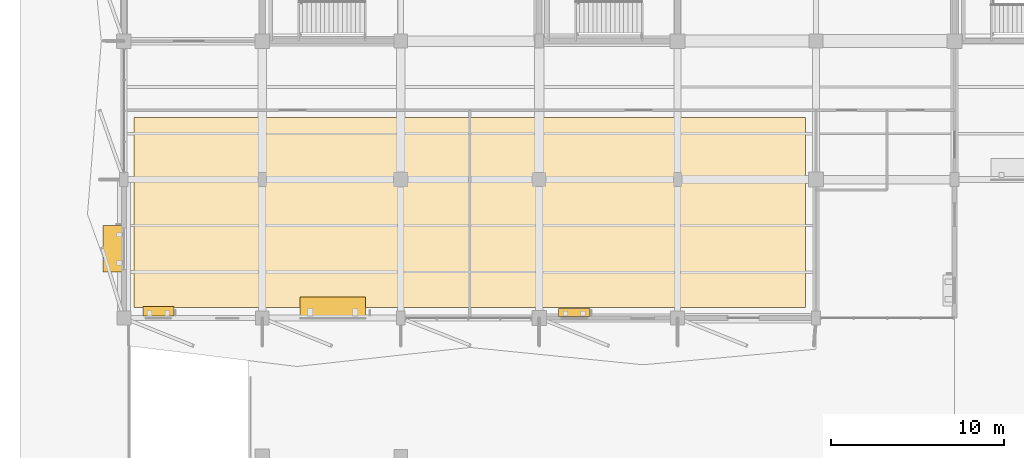
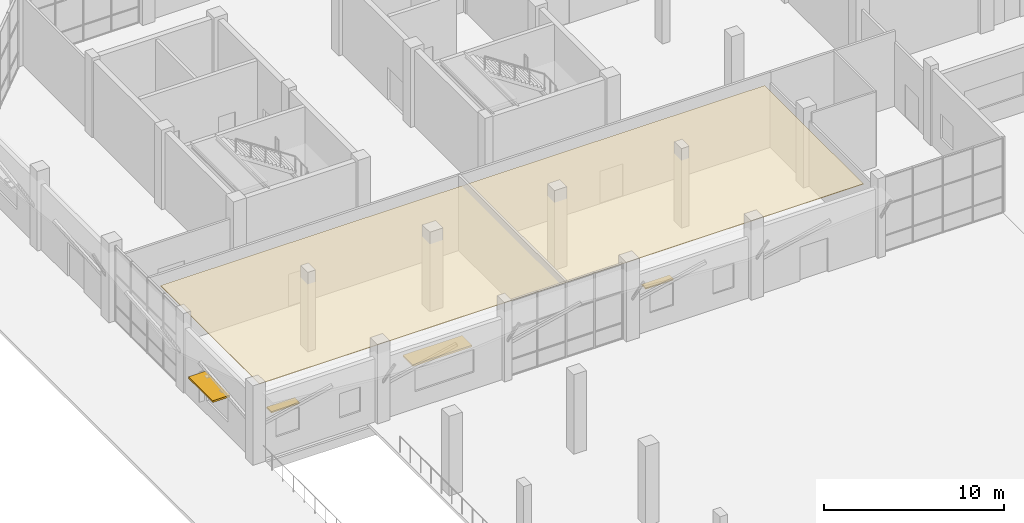
# One storey, part 116 of 123: 4 shading devices, 1 covering.
"""IFC4 building model written with IfcOpenShell, lengths in metres."""

from ifc_helpers import new_model, si_unit, direction, frame, origin, origin_2d, place, context, subcontext, project, spatial, polyline, rectangle, outline, extrude, material, layer, layer_set, type_object, element, save


model = new_model("IFC4")

# Units and contexts
model_context = context("Model", 3, precision=1e-05, world=origin(), true_north=direction((0.0, 1.0)))
body_context = subcontext(model_context, "Body", "Model", "MODEL_VIEW")
ifc_project = project(units=[si_unit("LENGTHUNIT", "METRE"), si_unit("AREAUNIT", "SQUARE_METRE"), si_unit("VOLUMEUNIT", "CUBIC_METRE"), si_unit("PLANEANGLEUNIT", "RADIAN"), si_unit("MASSUNIT", "GRAM", prefix="KILO")], contexts=[model_context])

# Site, building, storey
site_placement = place(None, origin())
site = spatial("IfcSite", under=ifc_project, at=site_placement, CompositionType="ELEMENT")
building_placement = place(site_placement, origin())
building = spatial("IfcBuilding", under=site, at=building_placement, Name="Tenunan Teduh Sports Hall", CompositionType="ELEMENT")
storey_placement = place(building_placement, origin())
storey = spatial("IfcBuildingStorey", under=building, at=storey_placement, Name="L00", CompositionType="ELEMENT", Elevation=0.0)

# Covering
ifc_material_1 = material(Name="Perforated mineral-fibre acoustic ceiling")
ifc_layer = layer(ifc_material_1, 0.0400390625)
ifc_layer_set = layer_set([ifc_layer], Name="Perforated mineral-fibre acoustic ceiling")
covering_type = type_object("IfcCoveringType", Name="COV-CLG-AC", PredefinedType="CEILING", material=ifc_layer_set)
covering_placement = place(storey_placement, frame((0.0, 0.0, 4.550048828125)))
element("IfcCovering", 1, at=covering_placement, inside=storey, type_object=covering_type, Name="COV-CLG-L00W", PredefinedType="CEILING", context=body_context, shape_type="SweptSolid", body=[
    extrude(outline(polyline([(6.60009765625, 78.60009765625), (45.39990234375, 78.60009765625), (45.39990234375, 89.60009765625), (6.60009765625, 89.60009765625), (6.60009765625, 78.60009765625)])), origin(), (0.0, 0.0, 1.0), 0.0400390625),
])

# Shading devices
ifc_material_2 = material(Name="Perforated anodised aluminium", Category="aluminium")
shading_device_type_1 = type_object("IfcShadingDeviceType", Name="SHD-LOUVRE-1", PredefinedType="AWNING", material=ifc_material_2)
shading_device_1_placement = place(storey_placement, frame((32.02490234375, 78.324951171875, 2.719970703125), z_axis=(0.0, 0.0, 1.0), x_axis=(1.0, 0.0, 0.0)))
element("IfcShadingDevice", 2, at=shading_device_1_placement, inside=storey, type_object=shading_device_type_1, Name="SHD-L00-012", PredefinedType="AWNING", context=body_context, shape_type="SweptSolid", body=[
    extrude(rectangle(XDim=1.800048828125, YDim=0.449951171875, at=origin_2d()), origin(), (0.0, 0.0, 1.0), 0.080078125),
])
ifc_material_3 = material(Name="Perforated anodised aluminium", Category="aluminium")
shading_device_type_2 = type_object("IfcShadingDeviceType", Name="SHD-LOUVRE-2", PredefinedType="SHUTTER", material=ifc_material_3)
shading_device_2_placement = place(storey_placement, frame((8.0, 78.39501953125, 2.71484375), z_axis=(0.0, 0.0, 1.0), x_axis=(1.0, 0.0, 0.0)))
element("IfcShadingDevice", 3, at=shading_device_2_placement, inside=storey, type_object=shading_device_type_2, Name="SHD-L00-010", PredefinedType="SHUTTER", context=body_context, shape_type="SweptSolid", body=[
    extrude(rectangle(XDim=1.800048828125, YDim=0.550048828125, at=origin_2d()), origin(), (0.0, 0.0, 1.0), 0.090087890625),
])
ifc_material_4 = material(Name="Perforated anodised aluminium", Category="aluminium")
shading_device_type_3 = type_object("IfcShadingDeviceType", Name="SHD-SUNSHADE-1", PredefinedType="JALOUSIE", material=ifc_material_4)
shading_device_3_placement = place(storey_placement, frame((18.070068359375, 78.6650390625, 2.699951171875), z_axis=(0.0, 0.0, 1.0), x_axis=(1.0, 0.0, 0.0)))
element("IfcShadingDevice", 4, at=shading_device_3_placement, inside=storey, type_object=shading_device_type_3, Name="SHD-L00-011", PredefinedType="JALOUSIE", context=body_context, shape_type="SweptSolid", body=[
    extrude(rectangle(XDim=3.800048828125, YDim=1.10009765625, at=origin_2d()), origin(), (0.0, 0.0, 1.0), 0.1201171875),
])
shading_device_4_placement = place(storey_placement, frame((5.3349609375, 82.0, 2.699951171875), z_axis=(0.0, 0.0, 1.0), x_axis=(0.0, 1.0, 0.0)))
element("IfcShadingDevice", 5, at=shading_device_4_placement, inside=storey, type_object=shading_device_type_3, Name="SHD-L00-020", PredefinedType="JALOUSIE", context=body_context, shape_type="SweptSolid", body=[
    extrude(rectangle(XDim=2.699951171875, YDim=1.10009765625, at=origin_2d()), origin(), (0.0, 0.0, 1.0), 0.1201171875),
])

save(model, "model.ifc")
